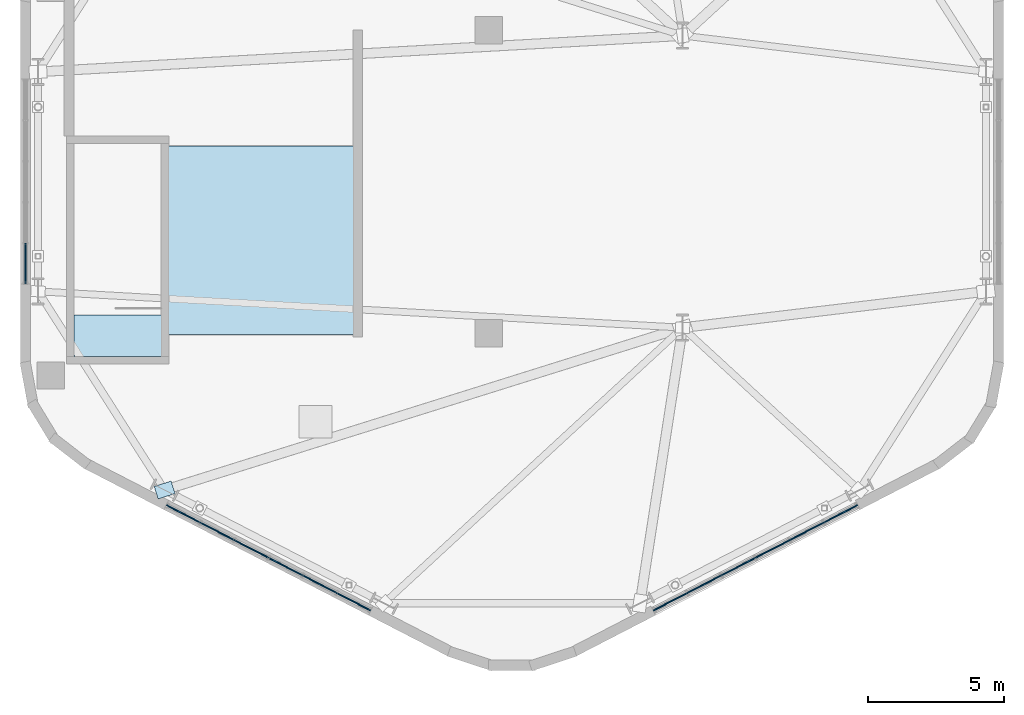
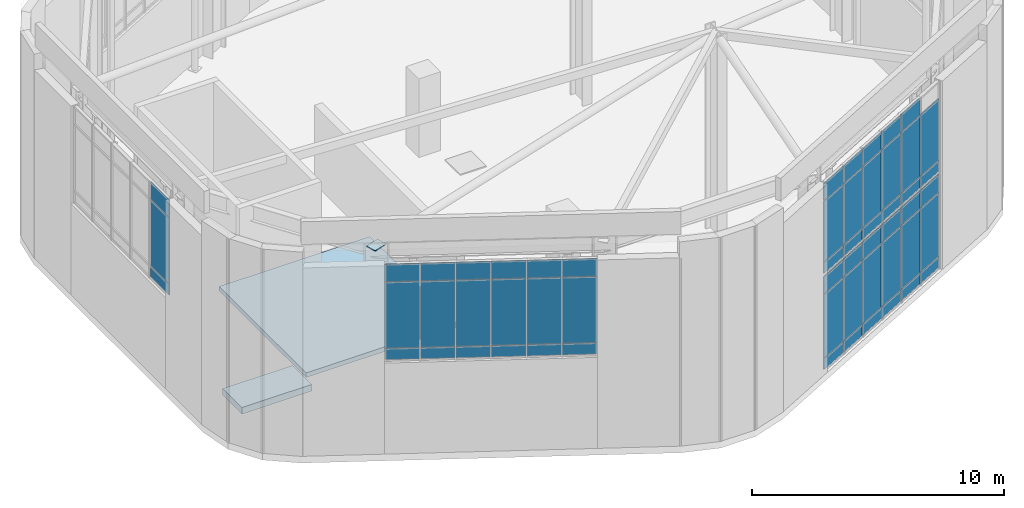
# One storey, part 19 of 23: 57 plates, 2 slabs, 4 elements without a shape of their own.
"""IFC4 building model written with IfcOpenShell, lengths in metres."""

from ifc_helpers import new_model, si_unit, direction, frame, origin, origin_2d, place, context, subcontext, project, spatial, polyline, rectangle, outline, extrude, material, layer, layer_set, type_object, element, aggregate, save


model = new_model("IFC4")

# Units and contexts
model_context = context("Model", 3, precision=1e-05, world=origin(), true_north=direction((0.0, 1.0)))
body_context = subcontext(model_context, "Body", "Model", "MODEL_VIEW")
ifc_project = project(units=[si_unit("LENGTHUNIT", "METRE"), si_unit("AREAUNIT", "SQUARE_METRE"), si_unit("VOLUMEUNIT", "CUBIC_METRE"), si_unit("PLANEANGLEUNIT", "RADIAN"), si_unit("MASSUNIT", "GRAM", prefix="KILO"), si_unit("THERMODYNAMICTEMPERATUREUNIT", "KELVIN"), si_unit("POWERUNIT", "WATT")], contexts=[model_context])

# Site, building, storey
site_placement = place(None, origin())
site = spatial("IfcSite", under=ifc_project, at=site_placement, CompositionType="ELEMENT")
building_placement = place(site_placement, origin())
building = spatial("IfcBuilding", under=site, at=building_placement, Name="Skarre Station Tower", CompositionType="ELEMENT")
storey_placement = place(building_placement, frame((0.0, 0.0, 291.300048828125)))
storey = spatial("IfcBuildingStorey", under=building, at=storey_placement, Name="RF", CompositionType="ELEMENT", Elevation=291.300048828125)

# Curtain wall, plate
ifc_material_1 = material(Name="Thermally Broken Bronze-Anodized Aluminium & Triple Low-E Glass", Category="aluminium")
ifc_layer_1 = layer(ifc_material_1, 0.179931640625, Name="Thermally Broken Bronze-Anodized Aluminium & Triple Low-E Glass")
ifc_layer_set_1 = layer_set([ifc_layer_1], Name="Thermally Broken Bronze-Anodized Aluminium & Triple Low-E Glass")
curtain_wall_type = type_object("IfcCurtainWallType", Name="Nordic Bronze Crown Lantern Stick Curtain Wall", PredefinedType="NOTDEFINED", material=ifc_layer_set_1)
curtain_wall_1_placement = place(storey_placement, origin())
curtain_wall_1 = element("IfcCurtainWall", 1, at=curtain_wall_1_placement, inside=storey, type_object=curtain_wall_type, Name="RF Crown Lantern Facet 2 Curtain Wall", PredefinedType="NOTDEFINED")
ifc_material_2 = material(Name="Insulated Bronze Anodized Aluminium Spandrel", Category="aluminium")
ifc_layer_2 = layer(ifc_material_2, 0.052001953125, Name="Insulated Bronze Anodized Aluminium Spandrel")
ifc_layer_set_2 = layer_set([ifc_layer_2], Name="Insulated Bronze Anodized Aluminium Spandrel")
plate_type_1 = type_object("IfcPlateType", Name="Bronze Insulated Spandrel Sheet Panel 52", PredefinedType="SHEET", material=ifc_layer_set_2)
plate_1_placement = place(storey_placement, frame((15.376953125, 20.998046875, 4.4521484375), z_axis=(0.0, 0.0, 1.0), x_axis=(0.0, 1.0, 0.0)))
plate_1 = element("IfcPlate", 2, at=plate_1_placement, type_object=plate_type_1, Name="RF Crown Lantern Facet 2 Curtain Wall Spandrel Panel 1-1", PredefinedType="SHEET", context=body_context, shape_type="SweptSolid", body=[
    extrude(rectangle(XDim=1.47705078125, YDim=0.052001953125, at=origin_2d()), origin(), (0.0, 0.0, 1.0), 0.535888671875),
])

# Curtain wall, plates
curtain_wall_2_placement = place(storey_placement, origin())
curtain_wall_2 = element("IfcCurtainWall", 3, at=curtain_wall_2_placement, inside=storey, type_object=curtain_wall_type, Name="RF Crown Lantern Facet 3 Curtain Wall", PredefinedType="NOTDEFINED")
plate_2_placement = place(storey_placement, frame((27.406982421875, 8.60595703125, 4.4521484375), z_axis=(0.0, 0.0, 1.0), x_axis=(-0.888649250269, 0.458587516181, 0.0)))
plate_2 = element("IfcPlate", 4, at=plate_2_placement, type_object=plate_type_1, Name="RF Crown Lantern Facet 3 Curtain Wall Spandrel Panel 1-1", PredefinedType="SHEET", context=body_context, shape_type="SweptSolid", body=[
    extrude(rectangle(XDim=1.383056640625, YDim=0.052001953125, at=origin_2d()), origin(), (0.0, 0.0, 1.0), 0.535888671875),
])
plate_3_placement = place(storey_placement, frame((26.156005859375, 9.2509765625, 4.4521484375), z_axis=(0.0, 0.0, 1.0), x_axis=(-0.888649250269, 0.458587516181, 0.0)))
plate_3 = element("IfcPlate", 5, at=plate_3_placement, type_object=plate_type_1, Name="RF Crown Lantern Facet 3 Curtain Wall Spandrel Panel 2-1", PredefinedType="SHEET", context=body_context, shape_type="SweptSolid", body=[
    extrude(rectangle(XDim=1.383056640625, YDim=0.052001953125, at=origin_2d()), origin(), (0.0, 0.0, 1.0), 0.535888671875),
])
plate_4_placement = place(storey_placement, frame((24.906005859375, 9.89599609375, 4.4521484375), z_axis=(0.0, 0.0, 1.0), x_axis=(-0.888649250269, 0.458587516181, 0.0)))
plate_4 = element("IfcPlate", 6, at=plate_4_placement, type_object=plate_type_1, Name="RF Crown Lantern Facet 3 Curtain Wall Spandrel Panel 3-1", PredefinedType="SHEET", context=body_context, shape_type="SweptSolid", body=[
    extrude(rectangle(XDim=1.383056640625, YDim=0.052001953125, at=origin_2d()), origin(), (0.0, 0.0, 1.0), 0.535888671875),
])
plate_5_placement = place(storey_placement, frame((23.655029296875, 10.5419921875, 4.4521484375), z_axis=(0.0, 0.0, 1.0), x_axis=(-0.888649250269, 0.458587516181, 0.0)))
plate_5 = element("IfcPlate", 7, at=plate_5_placement, type_object=plate_type_1, Name="RF Crown Lantern Facet 3 Curtain Wall Spandrel Panel 4-1", PredefinedType="SHEET", context=body_context, shape_type="SweptSolid", body=[
    extrude(rectangle(XDim=1.383056640625, YDim=0.052001953125, at=origin_2d()), origin(), (0.0, 0.0, 1.0), 0.535888671875),
])
plate_6_placement = place(storey_placement, frame((22.405029296875, 11.18701171875, 4.4521484375), z_axis=(0.0, 0.0, 1.0), x_axis=(-0.888649250269, 0.458587516181, 0.0)))
plate_6 = element("IfcPlate", 8, at=plate_6_placement, type_object=plate_type_1, Name="RF Crown Lantern Facet 3 Curtain Wall Spandrel Panel 5-1", PredefinedType="SHEET", context=body_context, shape_type="SweptSolid", body=[
    extrude(rectangle(XDim=1.383056640625, YDim=0.052001953125, at=origin_2d()), origin(), (0.0, 0.0, 1.0), 0.535888671875),
])
plate_7_placement = place(storey_placement, frame((21.154052734375, 11.83203125, 4.4521484375), z_axis=(0.0, 0.0, 1.0), x_axis=(-0.888649250269, 0.458587516181, 0.0)))
plate_7 = element("IfcPlate", 9, at=plate_7_placement, type_object=plate_type_1, Name="RF Crown Lantern Facet 3 Curtain Wall Spandrel Panel 6-1", PredefinedType="SHEET", context=body_context, shape_type="SweptSolid", body=[
    extrude(rectangle(XDim=1.383056640625, YDim=0.052001953125, at=origin_2d()), origin(), (0.0, 0.0, 1.0), 0.535888671875),
])

curtain_wall_3_placement = place(storey_placement, origin())
curtain_wall_3 = element("IfcCurtainWall", 10, at=curtain_wall_3_placement, inside=storey, type_object=curtain_wall_type, Name="RF Crown Lantern Lower Facet 4 Curtain Wall", PredefinedType="NOTDEFINED")
plate_8_placement = place(storey_placement, frame((45.24609375, 11.83203125, 0.05224609375), z_axis=(0.0, 0.0, 1.0), x_axis=(-0.888649250269, -0.458587516181, 0.0)))
plate_8 = element("IfcPlate", 11, at=plate_8_placement, type_object=plate_type_1, Name="RF Crown Lantern Lower Facet 4 Curtain Wall Spandrel Panel 1-1", PredefinedType="SHEET", context=body_context, shape_type="SweptSolid", body=[
    extrude(rectangle(XDim=1.383056640625, YDim=0.052001953125, at=origin_2d()), origin(), (0.0, 0.0, 1.0), 0.535888671875),
])
plate_9_placement = place(storey_placement, frame((43.9951171875, 11.18701171875, 0.05224609375), z_axis=(0.0, 0.0, 1.0), x_axis=(-0.888649250269, -0.458587516181, 0.0)))
plate_9 = element("IfcPlate", 12, at=plate_9_placement, type_object=plate_type_1, Name="RF Crown Lantern Lower Facet 4 Curtain Wall Spandrel Panel 2-1", PredefinedType="SHEET", context=body_context, shape_type="SweptSolid", body=[
    extrude(rectangle(XDim=1.383056640625, YDim=0.052001953125, at=origin_2d()), origin(), (0.0, 0.0, 1.0), 0.535888671875),
])
plate_10_placement = place(storey_placement, frame((42.7451171875, 10.5419921875, 0.05224609375), z_axis=(0.0, 0.0, 1.0), x_axis=(-0.888649250269, -0.458587516181, 0.0)))
plate_10 = element("IfcPlate", 13, at=plate_10_placement, type_object=plate_type_1, Name="RF Crown Lantern Lower Facet 4 Curtain Wall Spandrel Panel 3-1", PredefinedType="SHEET", context=body_context, shape_type="SweptSolid", body=[
    extrude(rectangle(XDim=1.383056640625, YDim=0.052001953125, at=origin_2d()), origin(), (0.0, 0.0, 1.0), 0.535888671875),
])
plate_11_placement = place(storey_placement, frame((41.493896484375, 9.89599609375, 0.05224609375), z_axis=(0.0, 0.0, 1.0), x_axis=(-0.888649250269, -0.458587516181, 0.0)))
plate_11 = element("IfcPlate", 14, at=plate_11_placement, type_object=plate_type_1, Name="RF Crown Lantern Lower Facet 4 Curtain Wall Spandrel Panel 4-1", PredefinedType="SHEET", context=body_context, shape_type="SweptSolid", body=[
    extrude(rectangle(XDim=1.383056640625, YDim=0.052001953125, at=origin_2d()), origin(), (0.0, 0.0, 1.0), 0.535888671875),
])
plate_12_placement = place(storey_placement, frame((40.243896484375, 9.2509765625, 0.05224609375), z_axis=(0.0, 0.0, 1.0), x_axis=(-0.888649250269, -0.458587516181, 0.0)))
plate_12 = element("IfcPlate", 15, at=plate_12_placement, type_object=plate_type_1, Name="RF Crown Lantern Lower Facet 4 Curtain Wall Spandrel Panel 5-1", PredefinedType="SHEET", context=body_context, shape_type="SweptSolid", body=[
    extrude(rectangle(XDim=1.383056640625, YDim=0.052001953125, at=origin_2d()), origin(), (0.0, 0.0, 1.0), 0.535888671875),
])
plate_13_placement = place(storey_placement, frame((38.992919921875, 8.60595703125, 0.05224609375), z_axis=(0.0, 0.0, 1.0), x_axis=(-0.888649250269, -0.458587516181, 0.0)))
plate_13 = element("IfcPlate", 16, at=plate_13_placement, type_object=plate_type_1, Name="RF Crown Lantern Lower Facet 4 Curtain Wall Spandrel Panel 6-1", PredefinedType="SHEET", context=body_context, shape_type="SweptSolid", body=[
    extrude(rectangle(XDim=1.383056640625, YDim=0.052001953125, at=origin_2d()), origin(), (0.0, 0.0, 1.0), 0.535888671875),
])

curtain_wall_4_placement = place(storey_placement, origin())
curtain_wall_4 = element("IfcCurtainWall", 17, at=curtain_wall_4_placement, inside=storey, type_object=curtain_wall_type, Name="RF Crown Lantern Upper Facet 4 Curtain Wall", PredefinedType="NOTDEFINED")
plate_14_placement = place(storey_placement, frame((45.24609375, 11.83203125, 4.7021484375), z_axis=(0.0, 0.0, 1.0), x_axis=(-0.888649250269, -0.458587516181, 0.0)))
plate_14 = element("IfcPlate", 18, at=plate_14_placement, type_object=plate_type_1, Name="RF Crown Lantern Upper Facet 4 Curtain Wall Spandrel Panel 1-1", PredefinedType="SHEET", context=body_context, shape_type="SweptSolid", body=[
    extrude(rectangle(XDim=1.383056640625, YDim=0.052001953125, at=origin_2d()), origin(), (0.0, 0.0, 1.0), 0.535888671875),
])
plate_15_placement = place(storey_placement, frame((43.9951171875, 11.18701171875, 4.7021484375), z_axis=(0.0, 0.0, 1.0), x_axis=(-0.888649250269, -0.458587516181, 0.0)))
plate_15 = element("IfcPlate", 19, at=plate_15_placement, type_object=plate_type_1, Name="RF Crown Lantern Upper Facet 4 Curtain Wall Spandrel Panel 2-1", PredefinedType="SHEET", context=body_context, shape_type="SweptSolid", body=[
    extrude(rectangle(XDim=1.383056640625, YDim=0.052001953125, at=origin_2d()), origin(), (0.0, 0.0, 1.0), 0.535888671875),
])
plate_16_placement = place(storey_placement, frame((42.7451171875, 10.5419921875, 4.7021484375), z_axis=(0.0, 0.0, 1.0), x_axis=(-0.888649250269, -0.458587516181, 0.0)))
plate_16 = element("IfcPlate", 20, at=plate_16_placement, type_object=plate_type_1, Name="RF Crown Lantern Upper Facet 4 Curtain Wall Spandrel Panel 3-1", PredefinedType="SHEET", context=body_context, shape_type="SweptSolid", body=[
    extrude(rectangle(XDim=1.383056640625, YDim=0.052001953125, at=origin_2d()), origin(), (0.0, 0.0, 1.0), 0.535888671875),
])
plate_17_placement = place(storey_placement, frame((41.493896484375, 9.89599609375, 4.7021484375), z_axis=(0.0, 0.0, 1.0), x_axis=(-0.888649250269, -0.458587516181, 0.0)))
plate_17 = element("IfcPlate", 21, at=plate_17_placement, type_object=plate_type_1, Name="RF Crown Lantern Upper Facet 4 Curtain Wall Spandrel Panel 4-1", PredefinedType="SHEET", context=body_context, shape_type="SweptSolid", body=[
    extrude(rectangle(XDim=1.383056640625, YDim=0.052001953125, at=origin_2d()), origin(), (0.0, 0.0, 1.0), 0.535888671875),
])
plate_18_placement = place(storey_placement, frame((40.243896484375, 9.2509765625, 4.7021484375), z_axis=(0.0, 0.0, 1.0), x_axis=(-0.888649250269, -0.458587516181, 0.0)))
plate_18 = element("IfcPlate", 22, at=plate_18_placement, type_object=plate_type_1, Name="RF Crown Lantern Upper Facet 4 Curtain Wall Spandrel Panel 5-1", PredefinedType="SHEET", context=body_context, shape_type="SweptSolid", body=[
    extrude(rectangle(XDim=1.383056640625, YDim=0.052001953125, at=origin_2d()), origin(), (0.0, 0.0, 1.0), 0.535888671875),
])
plate_19_placement = place(storey_placement, frame((38.992919921875, 8.60595703125, 4.7021484375), z_axis=(0.0, 0.0, 1.0), x_axis=(-0.888649250269, -0.458587516181, 0.0)))
plate_19 = element("IfcPlate", 23, at=plate_19_placement, type_object=plate_type_1, Name="RF Crown Lantern Upper Facet 4 Curtain Wall Spandrel Panel 6-1", PredefinedType="SHEET", context=body_context, shape_type="SweptSolid", body=[
    extrude(rectangle(XDim=1.383056640625, YDim=0.052001953125, at=origin_2d()), origin(), (0.0, 0.0, 1.0), 0.535888671875),
])

# Slabs
ifc_material_3 = material(Name="Concrete C40/50", Category="concrete")
ifc_layer_3 = layer(ifc_material_3, 0.219970703125, Name="Concrete C40/50")
ifc_layer_set_3 = layer_set([ifc_layer_3], Name="Concrete C40/50")
slab_type = type_object("IfcSlabType", Name="Reinforced Concrete Stair & Ramp Landing 220", PredefinedType="LANDING", material=ifc_layer_set_3)
slab_1_placement = place(storey_placement, frame((0.0, 0.0, -0.320068359375)))
element("IfcSlab", 24, at=slab_1_placement, inside=storey, type_object=slab_type, Name="RF Stair ST-1 Penthouse Arrival Landing", PredefinedType="LANDING", context=body_context, shape_type="SweptSolid", body=[
    extrude(outline(polyline([(17.14990234375, 17.60009765625), (20.35009765625, 17.60009765625), (20.35009765625, 19.1201171875), (17.14990234375, 19.1201171875), (17.14990234375, 17.60009765625)])), origin(), (0.0, 0.0, 1.0), 0.320068359375),
])
slab_2_placement = place(storey_placement, frame((0.0, 0.0, -0.219970703125)))
element("IfcSlab", 25, at=slab_2_placement, inside=storey, type_object=slab_type, Name="RF Stair ST-1 & FSAE Overrun Maintenance Landing Apron", PredefinedType="LANDING", context=body_context, shape_type="SweptSolid", body=[
    extrude(outline(polyline([(20.550048828125, 18.39990234375), (27.449951171875, 18.39990234375), (27.449951171875, 25.300048828125), (20.550048828125, 25.300048828125), (20.550048828125, 18.39990234375)])), origin(), (0.0, 0.0, 1.0), 0.219970703125),
])

# Plate
ifc_material_4 = material(Name="Low-Iron Triple Insulating Glass Unit", Category="glass")
ifc_layer_4 = layer(ifc_material_4, 0.0439453125, Name="Low-Iron Triple Insulating Glass Unit")
ifc_layer_set_4 = layer_set([ifc_layer_4], Name="Low-Iron Triple Insulating Glass Unit")
plate_type_2 = type_object("IfcPlateType", Name="Triple-Glazed Vision Curtain Panel 44", PredefinedType="CURTAIN_PANEL", material=ifc_layer_set_4)
plate_20_placement = place(storey_placement, frame((15.376953125, 20.998046875, 5.011962890625), z_axis=(0.0, 0.0, 1.0), x_axis=(0.0, 1.0, 0.0)))
plate_20 = element("IfcPlate", 26, at=plate_20_placement, type_object=plate_type_2, Name="RF Crown Lantern Facet 2 Curtain Wall Vision Panel 1-2", PredefinedType="CURTAIN_PANEL", context=body_context, shape_type="SweptSolid", body=[
    extrude(rectangle(XDim=1.47705078125, YDim=0.0439453125, at=origin_2d()), origin(), (0.0, 0.0, 1.0), 3.18603515625),
])

plate_21_placement = place(storey_placement, frame((15.376953125, 20.998046875, 8.221923828125), z_axis=(0.0, 0.0, 1.0), x_axis=(0.0, 1.0, 0.0)))
plate_21 = element("IfcPlate", 27, at=plate_21_placement, type_object=plate_type_2, Name="RF Crown Lantern Facet 2 Curtain Wall Vision Panel 1-3", PredefinedType="CURTAIN_PANEL", context=body_context, shape_type="SweptSolid", body=[
    extrude(rectangle(XDim=1.47705078125, YDim=0.0439453125, at=origin_2d()), origin(), (0.0, 0.0, 1.0), 0.8359375),
])

aggregate(curtain_wall_1, [plate_1, plate_20, plate_21])

plate_22_placement = place(storey_placement, frame((27.406982421875, 8.60595703125, 5.011962890625), z_axis=(0.0, 0.0, 1.0), x_axis=(-0.888649250269, 0.458587516181, 0.0)))
plate_22 = element("IfcPlate", 28, at=plate_22_placement, type_object=plate_type_2, Name="RF Crown Lantern Facet 3 Curtain Wall Vision Panel 1-2", PredefinedType="CURTAIN_PANEL", context=body_context, shape_type="SweptSolid", body=[
    extrude(rectangle(XDim=1.383056640625, YDim=0.0439453125, at=origin_2d()), origin(), (0.0, 0.0, 1.0), 3.18603515625),
])

plate_23_placement = place(storey_placement, frame((27.406982421875, 8.60595703125, 8.221923828125), z_axis=(0.0, 0.0, 1.0), x_axis=(-0.888649250269, 0.458587516181, 0.0)))
plate_23 = element("IfcPlate", 29, at=plate_23_placement, type_object=plate_type_2, Name="RF Crown Lantern Facet 3 Curtain Wall Vision Panel 1-3", PredefinedType="CURTAIN_PANEL", context=body_context, shape_type="SweptSolid", body=[
    extrude(rectangle(XDim=1.383056640625, YDim=0.0439453125, at=origin_2d()), origin(), (0.0, 0.0, 1.0), 0.8359375),
])

plate_24_placement = place(storey_placement, frame((26.156005859375, 9.2509765625, 5.011962890625), z_axis=(0.0, 0.0, 1.0), x_axis=(-0.888649250269, 0.458587516181, 0.0)))
plate_24 = element("IfcPlate", 30, at=plate_24_placement, type_object=plate_type_2, Name="RF Crown Lantern Facet 3 Curtain Wall Vision Panel 2-2", PredefinedType="CURTAIN_PANEL", context=body_context, shape_type="SweptSolid", body=[
    extrude(rectangle(XDim=1.383056640625, YDim=0.0439453125, at=origin_2d()), origin(), (0.0, 0.0, 1.0), 3.18603515625),
])

plate_25_placement = place(storey_placement, frame((26.156005859375, 9.2509765625, 8.221923828125), z_axis=(0.0, 0.0, 1.0), x_axis=(-0.888649250269, 0.458587516181, 0.0)))
plate_25 = element("IfcPlate", 31, at=plate_25_placement, type_object=plate_type_2, Name="RF Crown Lantern Facet 3 Curtain Wall Vision Panel 2-3", PredefinedType="CURTAIN_PANEL", context=body_context, shape_type="SweptSolid", body=[
    extrude(rectangle(XDim=1.383056640625, YDim=0.0439453125, at=origin_2d()), origin(), (0.0, 0.0, 1.0), 0.8359375),
])

plate_26_placement = place(storey_placement, frame((24.906005859375, 9.89599609375, 5.011962890625), z_axis=(0.0, 0.0, 1.0), x_axis=(-0.888649250269, 0.458587516181, 0.0)))
plate_26 = element("IfcPlate", 32, at=plate_26_placement, type_object=plate_type_2, Name="RF Crown Lantern Facet 3 Curtain Wall Vision Panel 3-2", PredefinedType="CURTAIN_PANEL", context=body_context, shape_type="SweptSolid", body=[
    extrude(rectangle(XDim=1.383056640625, YDim=0.0439453125, at=origin_2d()), origin(), (0.0, 0.0, 1.0), 3.18603515625),
])

plate_27_placement = place(storey_placement, frame((24.906005859375, 9.89599609375, 8.221923828125), z_axis=(0.0, 0.0, 1.0), x_axis=(-0.888649250269, 0.458587516181, 0.0)))
plate_27 = element("IfcPlate", 33, at=plate_27_placement, type_object=plate_type_2, Name="RF Crown Lantern Facet 3 Curtain Wall Vision Panel 3-3", PredefinedType="CURTAIN_PANEL", context=body_context, shape_type="SweptSolid", body=[
    extrude(rectangle(XDim=1.383056640625, YDim=0.0439453125, at=origin_2d()), origin(), (0.0, 0.0, 1.0), 0.8359375),
])

plate_28_placement = place(storey_placement, frame((23.655029296875, 10.5419921875, 5.011962890625), z_axis=(0.0, 0.0, 1.0), x_axis=(-0.888649250269, 0.458587516181, 0.0)))
plate_28 = element("IfcPlate", 34, at=plate_28_placement, type_object=plate_type_2, Name="RF Crown Lantern Facet 3 Curtain Wall Vision Panel 4-2", PredefinedType="CURTAIN_PANEL", context=body_context, shape_type="SweptSolid", body=[
    extrude(rectangle(XDim=1.383056640625, YDim=0.0439453125, at=origin_2d()), origin(), (0.0, 0.0, 1.0), 3.18603515625),
])

plate_29_placement = place(storey_placement, frame((23.655029296875, 10.5419921875, 8.221923828125), z_axis=(0.0, 0.0, 1.0), x_axis=(-0.888649250269, 0.458587516181, 0.0)))
plate_29 = element("IfcPlate", 35, at=plate_29_placement, type_object=plate_type_2, Name="RF Crown Lantern Facet 3 Curtain Wall Vision Panel 4-3", PredefinedType="CURTAIN_PANEL", context=body_context, shape_type="SweptSolid", body=[
    extrude(rectangle(XDim=1.383056640625, YDim=0.0439453125, at=origin_2d()), origin(), (0.0, 0.0, 1.0), 0.8359375),
])

plate_30_placement = place(storey_placement, frame((22.405029296875, 11.18701171875, 5.011962890625), z_axis=(0.0, 0.0, 1.0), x_axis=(-0.888649250269, 0.458587516181, 0.0)))
plate_30 = element("IfcPlate", 36, at=plate_30_placement, type_object=plate_type_2, Name="RF Crown Lantern Facet 3 Curtain Wall Vision Panel 5-2", PredefinedType="CURTAIN_PANEL", context=body_context, shape_type="SweptSolid", body=[
    extrude(rectangle(XDim=1.383056640625, YDim=0.0439453125, at=origin_2d()), origin(), (0.0, 0.0, 1.0), 3.18603515625),
])

plate_31_placement = place(storey_placement, frame((22.405029296875, 11.18701171875, 8.221923828125), z_axis=(0.0, 0.0, 1.0), x_axis=(-0.888649250269, 0.458587516181, 0.0)))
plate_31 = element("IfcPlate", 37, at=plate_31_placement, type_object=plate_type_2, Name="RF Crown Lantern Facet 3 Curtain Wall Vision Panel 5-3", PredefinedType="CURTAIN_PANEL", context=body_context, shape_type="SweptSolid", body=[
    extrude(rectangle(XDim=1.383056640625, YDim=0.0439453125, at=origin_2d()), origin(), (0.0, 0.0, 1.0), 0.8359375),
])

plate_32_placement = place(storey_placement, frame((21.154052734375, 11.83203125, 5.011962890625), z_axis=(0.0, 0.0, 1.0), x_axis=(-0.888649250269, 0.458587516181, 0.0)))
plate_32 = element("IfcPlate", 38, at=plate_32_placement, type_object=plate_type_2, Name="RF Crown Lantern Facet 3 Curtain Wall Vision Panel 6-2", PredefinedType="CURTAIN_PANEL", context=body_context, shape_type="SweptSolid", body=[
    extrude(rectangle(XDim=1.383056640625, YDim=0.0439453125, at=origin_2d()), origin(), (0.0, 0.0, 1.0), 3.18603515625),
])

plate_33_placement = place(storey_placement, frame((21.154052734375, 11.83203125, 8.221923828125), z_axis=(0.0, 0.0, 1.0), x_axis=(-0.888649250269, 0.458587516181, 0.0)))
plate_33 = element("IfcPlate", 39, at=plate_33_placement, type_object=plate_type_2, Name="RF Crown Lantern Facet 3 Curtain Wall Vision Panel 6-3", PredefinedType="CURTAIN_PANEL", context=body_context, shape_type="SweptSolid", body=[
    extrude(rectangle(XDim=1.383056640625, YDim=0.0439453125, at=origin_2d()), origin(), (0.0, 0.0, 1.0), 0.8359375),
])

aggregate(curtain_wall_2, [plate_2, plate_22, plate_23, plate_3, plate_24, plate_25, plate_4, plate_26, plate_27, plate_5, plate_28, plate_29, plate_6, plate_30, plate_31, plate_7, plate_32, plate_33])

plate_34_placement = place(storey_placement, frame((45.24609375, 11.83203125, 0.61181640625), z_axis=(0.0, 0.0, 1.0), x_axis=(-0.888649250269, -0.458587516181, 0.0)))
plate_34 = element("IfcPlate", 40, at=plate_34_placement, type_object=plate_type_2, Name="RF Crown Lantern Lower Facet 4 Curtain Wall Vision Panel 1-2", PredefinedType="CURTAIN_PANEL", context=body_context, shape_type="SweptSolid", body=[
    extrude(rectangle(XDim=1.383056640625, YDim=0.0439453125, at=origin_2d()), origin(), (0.0, 0.0, 1.0), 3.075927734375),
])

plate_35_placement = place(storey_placement, frame((45.24609375, 11.83203125, 3.7119140625), z_axis=(0.0, 0.0, 1.0), x_axis=(-0.888649250269, -0.458587516181, 0.0)))
plate_35 = element("IfcPlate", 41, at=plate_35_placement, type_object=plate_type_2, Name="RF Crown Lantern Lower Facet 4 Curtain Wall Vision Panel 1-3", PredefinedType="CURTAIN_PANEL", context=body_context, shape_type="SweptSolid", body=[
    extrude(rectangle(XDim=1.383056640625, YDim=0.0439453125, at=origin_2d()), origin(), (0.0, 0.0, 1.0), 0.8359375),
])

plate_36_placement = place(storey_placement, frame((43.9951171875, 11.18701171875, 0.61181640625), z_axis=(0.0, 0.0, 1.0), x_axis=(-0.888649250269, -0.458587516181, 0.0)))
plate_36 = element("IfcPlate", 42, at=plate_36_placement, type_object=plate_type_2, Name="RF Crown Lantern Lower Facet 4 Curtain Wall Vision Panel 2-2", PredefinedType="CURTAIN_PANEL", context=body_context, shape_type="SweptSolid", body=[
    extrude(rectangle(XDim=1.383056640625, YDim=0.0439453125, at=origin_2d()), origin(), (0.0, 0.0, 1.0), 3.075927734375),
])

plate_37_placement = place(storey_placement, frame((43.9951171875, 11.18701171875, 3.7119140625), z_axis=(0.0, 0.0, 1.0), x_axis=(-0.888649250269, -0.458587516181, 0.0)))
plate_37 = element("IfcPlate", 43, at=plate_37_placement, type_object=plate_type_2, Name="RF Crown Lantern Lower Facet 4 Curtain Wall Vision Panel 2-3", PredefinedType="CURTAIN_PANEL", context=body_context, shape_type="SweptSolid", body=[
    extrude(rectangle(XDim=1.383056640625, YDim=0.0439453125, at=origin_2d()), origin(), (0.0, 0.0, 1.0), 0.8359375),
])

plate_38_placement = place(storey_placement, frame((42.7451171875, 10.5419921875, 0.61181640625), z_axis=(0.0, 0.0, 1.0), x_axis=(-0.888649250269, -0.458587516181, 0.0)))
plate_38 = element("IfcPlate", 44, at=plate_38_placement, type_object=plate_type_2, Name="RF Crown Lantern Lower Facet 4 Curtain Wall Vision Panel 3-2", PredefinedType="CURTAIN_PANEL", context=body_context, shape_type="SweptSolid", body=[
    extrude(rectangle(XDim=1.383056640625, YDim=0.0439453125, at=origin_2d()), origin(), (0.0, 0.0, 1.0), 3.075927734375),
])

plate_39_placement = place(storey_placement, frame((42.7451171875, 10.5419921875, 3.7119140625), z_axis=(0.0, 0.0, 1.0), x_axis=(-0.888649250269, -0.458587516181, 0.0)))
plate_39 = element("IfcPlate", 45, at=plate_39_placement, type_object=plate_type_2, Name="RF Crown Lantern Lower Facet 4 Curtain Wall Vision Panel 3-3", PredefinedType="CURTAIN_PANEL", context=body_context, shape_type="SweptSolid", body=[
    extrude(rectangle(XDim=1.383056640625, YDim=0.0439453125, at=origin_2d()), origin(), (0.0, 0.0, 1.0), 0.8359375),
])

plate_40_placement = place(storey_placement, frame((41.493896484375, 9.89599609375, 0.61181640625), z_axis=(0.0, 0.0, 1.0), x_axis=(-0.888649250269, -0.458587516181, 0.0)))
plate_40 = element("IfcPlate", 46, at=plate_40_placement, type_object=plate_type_2, Name="RF Crown Lantern Lower Facet 4 Curtain Wall Vision Panel 4-2", PredefinedType="CURTAIN_PANEL", context=body_context, shape_type="SweptSolid", body=[
    extrude(rectangle(XDim=1.383056640625, YDim=0.0439453125, at=origin_2d()), origin(), (0.0, 0.0, 1.0), 3.075927734375),
])

plate_41_placement = place(storey_placement, frame((41.493896484375, 9.89599609375, 3.7119140625), z_axis=(0.0, 0.0, 1.0), x_axis=(-0.888649250269, -0.458587516181, 0.0)))
plate_41 = element("IfcPlate", 47, at=plate_41_placement, type_object=plate_type_2, Name="RF Crown Lantern Lower Facet 4 Curtain Wall Vision Panel 4-3", PredefinedType="CURTAIN_PANEL", context=body_context, shape_type="SweptSolid", body=[
    extrude(rectangle(XDim=1.383056640625, YDim=0.0439453125, at=origin_2d()), origin(), (0.0, 0.0, 1.0), 0.8359375),
])

plate_42_placement = place(storey_placement, frame((40.243896484375, 9.2509765625, 0.61181640625), z_axis=(0.0, 0.0, 1.0), x_axis=(-0.888649250269, -0.458587516181, 0.0)))
plate_42 = element("IfcPlate", 48, at=plate_42_placement, type_object=plate_type_2, Name="RF Crown Lantern Lower Facet 4 Curtain Wall Vision Panel 5-2", PredefinedType="CURTAIN_PANEL", context=body_context, shape_type="SweptSolid", body=[
    extrude(rectangle(XDim=1.383056640625, YDim=0.0439453125, at=origin_2d()), origin(), (0.0, 0.0, 1.0), 3.075927734375),
])

plate_43_placement = place(storey_placement, frame((40.243896484375, 9.2509765625, 3.7119140625), z_axis=(0.0, 0.0, 1.0), x_axis=(-0.888649250269, -0.458587516181, 0.0)))
plate_43 = element("IfcPlate", 49, at=plate_43_placement, type_object=plate_type_2, Name="RF Crown Lantern Lower Facet 4 Curtain Wall Vision Panel 5-3", PredefinedType="CURTAIN_PANEL", context=body_context, shape_type="SweptSolid", body=[
    extrude(rectangle(XDim=1.383056640625, YDim=0.0439453125, at=origin_2d()), origin(), (0.0, 0.0, 1.0), 0.8359375),
])

plate_44_placement = place(storey_placement, frame((38.992919921875, 8.60595703125, 0.61181640625), z_axis=(0.0, 0.0, 1.0), x_axis=(-0.888649250269, -0.458587516181, 0.0)))
plate_44 = element("IfcPlate", 50, at=plate_44_placement, type_object=plate_type_2, Name="RF Crown Lantern Lower Facet 4 Curtain Wall Vision Panel 6-2", PredefinedType="CURTAIN_PANEL", context=body_context, shape_type="SweptSolid", body=[
    extrude(rectangle(XDim=1.383056640625, YDim=0.0439453125, at=origin_2d()), origin(), (0.0, 0.0, 1.0), 3.075927734375),
])

plate_45_placement = place(storey_placement, frame((38.992919921875, 8.60595703125, 3.7119140625), z_axis=(0.0, 0.0, 1.0), x_axis=(-0.888649250269, -0.458587516181, 0.0)))
plate_45 = element("IfcPlate", 51, at=plate_45_placement, type_object=plate_type_2, Name="RF Crown Lantern Lower Facet 4 Curtain Wall Vision Panel 6-3", PredefinedType="CURTAIN_PANEL", context=body_context, shape_type="SweptSolid", body=[
    extrude(rectangle(XDim=1.383056640625, YDim=0.0439453125, at=origin_2d()), origin(), (0.0, 0.0, 1.0), 0.8359375),
])

aggregate(curtain_wall_3, [plate_8, plate_34, plate_35, plate_9, plate_36, plate_37, plate_10, plate_38, plate_39, plate_11, plate_40, plate_41, plate_12, plate_42, plate_43, plate_13, plate_44, plate_45])

plate_46_placement = place(storey_placement, frame((45.24609375, 11.83203125, 5.261962890625), z_axis=(0.0, 0.0, 1.0), x_axis=(-0.888649250269, -0.458587516181, 0.0)))
plate_46 = element("IfcPlate", 52, at=plate_46_placement, type_object=plate_type_2, Name="RF Crown Lantern Upper Facet 4 Curtain Wall Vision Panel 1-2", PredefinedType="CURTAIN_PANEL", context=body_context, shape_type="SweptSolid", body=[
    extrude(rectangle(XDim=1.383056640625, YDim=0.0439453125, at=origin_2d()), origin(), (0.0, 0.0, 1.0), 2.93603515625),
])

plate_47_placement = place(storey_placement, frame((43.9951171875, 11.18701171875, 5.261962890625), z_axis=(0.0, 0.0, 1.0), x_axis=(-0.888649250269, -0.458587516181, 0.0)))
plate_47 = element("IfcPlate", 53, at=plate_47_placement, type_object=plate_type_2, Name="RF Crown Lantern Upper Facet 4 Curtain Wall Vision Panel 2-2", PredefinedType="CURTAIN_PANEL", context=body_context, shape_type="SweptSolid", body=[
    extrude(rectangle(XDim=1.383056640625, YDim=0.0439453125, at=origin_2d()), origin(), (0.0, 0.0, 1.0), 2.93603515625),
])

plate_48_placement = place(storey_placement, frame((43.9951171875, 11.18701171875, 8.221923828125), z_axis=(0.0, 0.0, 1.0), x_axis=(-0.888649250269, -0.458587516181, 0.0)))
plate_48 = element("IfcPlate", 54, at=plate_48_placement, type_object=plate_type_2, Name="RF Crown Lantern Upper Facet 4 Curtain Wall Vision Panel 2-3", PredefinedType="CURTAIN_PANEL", context=body_context, shape_type="SweptSolid", body=[
    extrude(rectangle(XDim=1.383056640625, YDim=0.0439453125, at=origin_2d()), origin(), (0.0, 0.0, 1.0), 0.8359375),
])

plate_49_placement = place(storey_placement, frame((42.7451171875, 10.5419921875, 5.261962890625), z_axis=(0.0, 0.0, 1.0), x_axis=(-0.888649250269, -0.458587516181, 0.0)))
plate_49 = element("IfcPlate", 55, at=plate_49_placement, type_object=plate_type_2, Name="RF Crown Lantern Upper Facet 4 Curtain Wall Vision Panel 3-2", PredefinedType="CURTAIN_PANEL", context=body_context, shape_type="SweptSolid", body=[
    extrude(rectangle(XDim=1.383056640625, YDim=0.0439453125, at=origin_2d()), origin(), (0.0, 0.0, 1.0), 2.93603515625),
])

plate_50_placement = place(storey_placement, frame((42.7451171875, 10.5419921875, 8.221923828125), z_axis=(0.0, 0.0, 1.0), x_axis=(-0.888649250269, -0.458587516181, 0.0)))
plate_50 = element("IfcPlate", 56, at=plate_50_placement, type_object=plate_type_2, Name="RF Crown Lantern Upper Facet 4 Curtain Wall Vision Panel 3-3", PredefinedType="CURTAIN_PANEL", context=body_context, shape_type="SweptSolid", body=[
    extrude(rectangle(XDim=1.383056640625, YDim=0.0439453125, at=origin_2d()), origin(), (0.0, 0.0, 1.0), 0.8359375),
])

plate_51_placement = place(storey_placement, frame((41.493896484375, 9.89599609375, 5.261962890625), z_axis=(0.0, 0.0, 1.0), x_axis=(-0.888649250269, -0.458587516181, 0.0)))
plate_51 = element("IfcPlate", 57, at=plate_51_placement, type_object=plate_type_2, Name="RF Crown Lantern Upper Facet 4 Curtain Wall Vision Panel 4-2", PredefinedType="CURTAIN_PANEL", context=body_context, shape_type="SweptSolid", body=[
    extrude(rectangle(XDim=1.383056640625, YDim=0.0439453125, at=origin_2d()), origin(), (0.0, 0.0, 1.0), 2.93603515625),
])

plate_52_placement = place(storey_placement, frame((41.493896484375, 9.89599609375, 8.221923828125), z_axis=(0.0, 0.0, 1.0), x_axis=(-0.888649250269, -0.458587516181, 0.0)))
plate_52 = element("IfcPlate", 58, at=plate_52_placement, type_object=plate_type_2, Name="RF Crown Lantern Upper Facet 4 Curtain Wall Vision Panel 4-3", PredefinedType="CURTAIN_PANEL", context=body_context, shape_type="SweptSolid", body=[
    extrude(rectangle(XDim=1.383056640625, YDim=0.0439453125, at=origin_2d()), origin(), (0.0, 0.0, 1.0), 0.8359375),
])

plate_53_placement = place(storey_placement, frame((40.243896484375, 9.2509765625, 5.261962890625), z_axis=(0.0, 0.0, 1.0), x_axis=(-0.888649250269, -0.458587516181, 0.0)))
plate_53 = element("IfcPlate", 59, at=plate_53_placement, type_object=plate_type_2, Name="RF Crown Lantern Upper Facet 4 Curtain Wall Vision Panel 5-2", PredefinedType="CURTAIN_PANEL", context=body_context, shape_type="SweptSolid", body=[
    extrude(rectangle(XDim=1.383056640625, YDim=0.0439453125, at=origin_2d()), origin(), (0.0, 0.0, 1.0), 2.93603515625),
])

plate_54_placement = place(storey_placement, frame((40.243896484375, 9.2509765625, 8.221923828125), z_axis=(0.0, 0.0, 1.0), x_axis=(-0.888649250269, -0.458587516181, 0.0)))
plate_54 = element("IfcPlate", 60, at=plate_54_placement, type_object=plate_type_2, Name="RF Crown Lantern Upper Facet 4 Curtain Wall Vision Panel 5-3", PredefinedType="CURTAIN_PANEL", context=body_context, shape_type="SweptSolid", body=[
    extrude(rectangle(XDim=1.383056640625, YDim=0.0439453125, at=origin_2d()), origin(), (0.0, 0.0, 1.0), 0.8359375),
])

plate_55_placement = place(storey_placement, frame((38.992919921875, 8.60595703125, 5.261962890625), z_axis=(0.0, 0.0, 1.0), x_axis=(-0.888649250269, -0.458587516181, 0.0)))
plate_55 = element("IfcPlate", 61, at=plate_55_placement, type_object=plate_type_2, Name="RF Crown Lantern Upper Facet 4 Curtain Wall Vision Panel 6-2", PredefinedType="CURTAIN_PANEL", context=body_context, shape_type="SweptSolid", body=[
    extrude(rectangle(XDim=1.383056640625, YDim=0.0439453125, at=origin_2d()), origin(), (0.0, 0.0, 1.0), 2.93603515625),
])

plate_56_placement = place(storey_placement, frame((38.992919921875, 8.60595703125, 8.221923828125), z_axis=(0.0, 0.0, 1.0), x_axis=(-0.888649250269, -0.458587516181, 0.0)))
plate_56 = element("IfcPlate", 62, at=plate_56_placement, type_object=plate_type_2, Name="RF Crown Lantern Upper Facet 4 Curtain Wall Vision Panel 6-3", PredefinedType="CURTAIN_PANEL", context=body_context, shape_type="SweptSolid", body=[
    extrude(rectangle(XDim=1.383056640625, YDim=0.0439453125, at=origin_2d()), origin(), (0.0, 0.0, 1.0), 0.8359375),
])

aggregate(curtain_wall_4, [plate_14, plate_46, plate_15, plate_47, plate_48, plate_16, plate_49, plate_50, plate_17, plate_51, plate_52, plate_18, plate_53, plate_54, plate_19, plate_55, plate_56])

ifc_material_5 = material(Name="Steel ASTM A572 Grade 50", Category="steel")
ifc_layer_5 = layer(ifc_material_5, 0.035888671875, Name="Steel ASTM A572 Grade 50")
ifc_layer_set_5 = layer_set([ifc_layer_5], Name="Steel ASTM A572 Grade 50")
plate_type_3 = type_object("IfcPlateType", Name="Truss Node Gusset Plate 650x480x36", PredefinedType="USERDEFINED", material=ifc_layer_set_5)
plate_57_placement = place(storey_placement, frame((20.472900390625, 12.701904296875, 9.64208984375), z_axis=(0.0, 0.0, 1.0), x_axis=(0.954224669469, 0.299090755753, 0.0)))
element("IfcPlate", 63, at=plate_57_placement, inside=storey, type_object=plate_type_3, Name="RF Crown Brace Outer Gusset 7", ObjectType="GUSSET_PLATE", PredefinedType="USERDEFINED", context=body_context, shape_type="SweptSolid", body=[
    extrude(rectangle(XDim=0.64990234375, YDim=0.47998046875, at=origin_2d()), origin(), (0.0, 0.0, 1.0), 0.035888671875),
])

save(model, "model.ifc")
